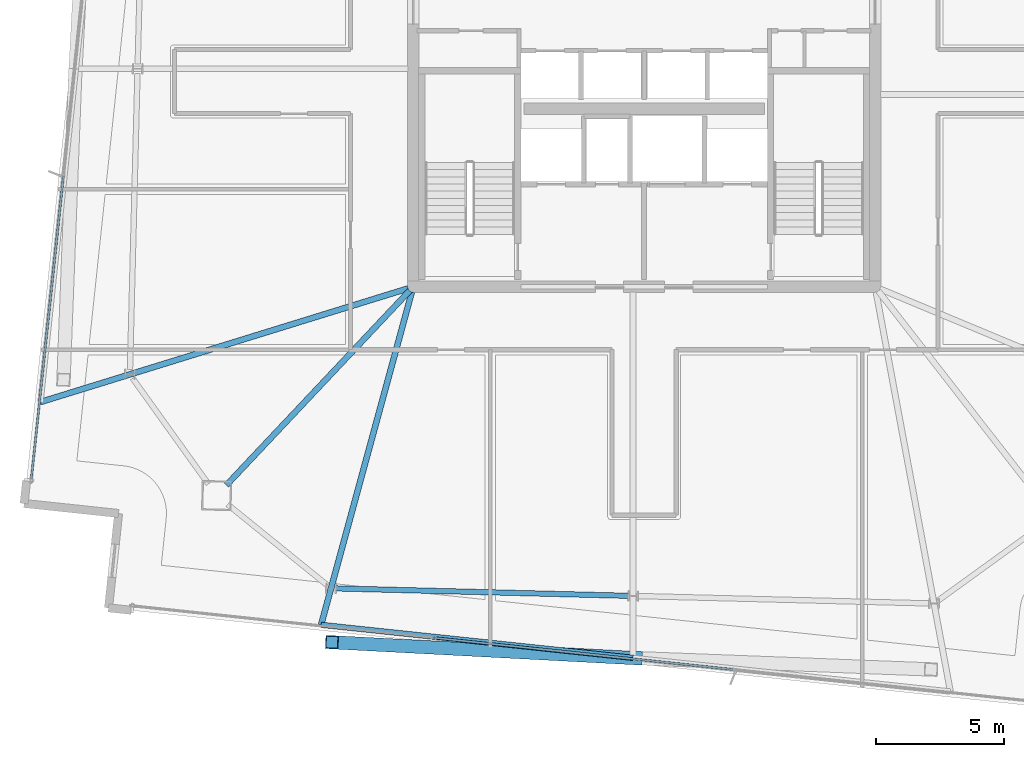
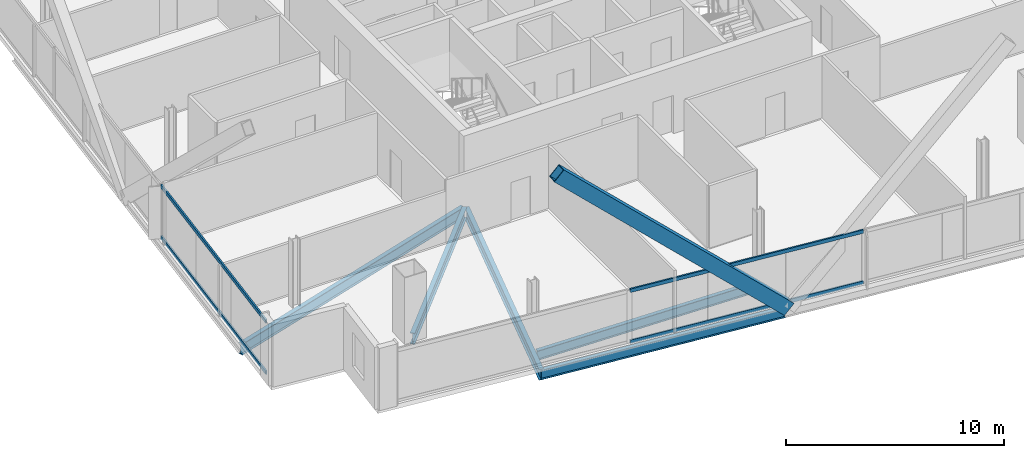
# One storey, part 3 of 24: 5 beams, 5 members, 2 elements without a shape of their own.
"""IFC4 building model written with IfcOpenShell, lengths in metres."""

import ifcopenshell
import ifcopenshell.guid

model = None  # the IFC model being written
_history = None  # IfcOwnerHistory: only IFC2X3 demands one
_inside = {}  # id of a spatial element -> (the spatial element, [elements in it])
_under = {}  # id of a project, library or spatial element -> (it, [spatial elements below it])
_declared = {}  # id of a project -> (the project, [libraries it declares])
_typed = {}  # id of a type object -> (the type object, [elements of that type])
_made_of = {}  # id of a material, layer set ... -> (it, [elements and type objects made of it])


def new_model(schema):
    """Start an empty IFC model of exactly this schema.

    Asked for "IFC4X3", IfcOpenShell would pick the latest addendum, in which some entities
    have other attributes; the version numbers below select the first issue.
    IFC2X3 requires an IfcOwnerHistory on every rooted entity: one is made here for all.
    """
    global model, _history
    if schema == "IFC4X3":
        model = ifcopenshell.file(schema_version=(4, 3, 0, 0))
    else:
        model = ifcopenshell.file(schema=schema)
    _inside.clear()
    _under.clear()
    _declared.clear()
    _typed.clear()
    _made_of.clear()
    _history = None
    if model.schema == "IFC2X3":
        org = make("IfcOrganization", Name="unknown")
        user = make(
            "IfcPersonAndOrganization",
            ThePerson=make("IfcPerson", FamilyName="unknown"),
            TheOrganization=org,
        )
        app = make(
            "IfcApplication",
            ApplicationDeveloper=org,
            Version="unknown",
            ApplicationFullName="unknown",
            ApplicationIdentifier="unknown",
        )
        _history = make(
            "IfcOwnerHistory",
            OwningUser=user,
            OwningApplication=app,
            ChangeAction="ADDED",
            CreationDate=0,
        )
    return model


def make(cls, **values):
    """One entity of the class cls with the attributes given. An attribute that is None is left unset."""
    return model.create_entity(
        cls, **{name: value for name, value in values.items() if value is not None}
    )


def rooted(cls, **values):
    """An entity with a GlobalId (a new one), such as an element, a storey or a relation."""
    return make(cls, GlobalId=ifcopenshell.guid.new(), OwnerHistory=_history, **values)


def si_unit(unit_type, name, prefix=None):
    """IfcSIUnit, for example si_unit("LENGTHUNIT", "METRE", prefix="MILLI")."""
    return make("IfcSIUnit", UnitType=unit_type, Prefix=prefix, Name=name)


def assignment(units):
    """IfcUnitAssignment: the units of a project."""
    return None if units is None else make("IfcUnitAssignment", Units=units)


def point(xyz):
    """IfcCartesianPoint."""
    return None if xyz is None else make("IfcCartesianPoint", Coordinates=xyz)


def direction(xyz):
    """IfcDirection."""
    return None if xyz is None else make("IfcDirection", DirectionRatios=xyz)


def frame(location, z_axis=None, x_axis=None):
    """IfcAxis2Placement3D, a coordinate frame: its origin and axes. An axis left out is left unset."""
    return make(
        "IfcAxis2Placement3D",
        Location=point(location),
        Axis=direction(z_axis),
        RefDirection=direction(x_axis),
    )


def frame_2d(location, x_axis=None):
    """IfcAxis2Placement2D, a coordinate frame in the plane: its origin and x axis."""
    return make(
        "IfcAxis2Placement2D", Location=point(location), RefDirection=direction(x_axis)
    )


def origin():
    """The frame at (0, 0, 0) with its axes left unset."""
    return frame((0.0, 0.0, 0.0))


def origin_2d():
    """The frame at (0, 0) in the plane with its x axis left unset."""
    return frame_2d((0.0, 0.0))


def place(relative_to, where):
    """IfcLocalPlacement: puts the frame where relative to a parent placement (None: the world)."""
    return make(
        "IfcLocalPlacement", PlacementRelTo=relative_to, RelativePlacement=where
    )


def context(
    kind, dimensions, precision=None, world=None, true_north=None, identifier=None
):
    """IfcGeometricRepresentationContext, for example the 3D "Model" context."""
    return make(
        "IfcGeometricRepresentationContext",
        ContextIdentifier=identifier,
        ContextType=kind,
        CoordinateSpaceDimension=dimensions,
        Precision=precision,
        WorldCoordinateSystem=world,
        TrueNorth=true_north,
    )


def subcontext(parent, identifier, kind, view, scale=None):
    """IfcGeometricRepresentationSubContext, for example "Body" below "Model"."""
    return make(
        "IfcGeometricRepresentationSubContext",
        ContextIdentifier=identifier,
        ContextType=kind,
        ParentContext=parent,
        TargetScale=scale,
        TargetView=view,
    )


def project(units=None, contexts=None):
    """IfcProject with its units and contexts."""
    return rooted(
        "IfcProject",
        Name="project",
        RepresentationContexts=contexts,
        UnitsInContext=assignment(units),
    )


def spatial(cls, under=None, at=None, **own):
    """A site, building, storey or space (cls), placed at a placement, below another one or the project."""
    s = rooted(cls, ObjectPlacement=at, **own)
    if under is not None:
        _under.setdefault(under.id(), (under, []))[1].append(s)
    return s


def profile(cls, at=None, kind="AREA", **sizes):
    """A parametric profile (cls). Its sizes go by their IFC names, for example OverallWidth=200.0."""
    return make(cls, ProfileType=kind, Position=at, **sizes)


def hollow_rectangle(**sizes):
    """IfcRectangleHollowProfileDef."""
    return profile("IfcRectangleHollowProfileDef", **sizes)


def i_section(**sizes):
    """IfcIShapeProfileDef."""
    return profile("IfcIShapeProfileDef", **sizes)


def extrude(swept, where, along, depth):
    """IfcExtrudedAreaSolid: the profile swept, set in the frame where, extruded along a direction by depth."""
    return make(
        "IfcExtrudedAreaSolid",
        SweptArea=swept,
        Position=where,
        ExtrudedDirection=direction(along),
        Depth=depth,
    )


def shape(context_of_items, identifier, shape_type, items):
    """IfcShapeRepresentation: the items that make up one representation, for example the "Body"."""
    return make(
        "IfcShapeRepresentation",
        ContextOfItems=context_of_items,
        RepresentationIdentifier=identifier,
        RepresentationType=shape_type,
        Items=items,
    )


def material(Name=None, Category=None):
    """IfcMaterial."""
    return make("IfcMaterial", Name=Name, Category=Category)


def material_profile(
    of_material, cross_section, Name=None, Category=None, Priority=None
):
    """IfcMaterialProfile: a cross section and its material."""
    return make(
        "IfcMaterialProfile",
        Name=Name,
        Material=of_material,
        Profile=cross_section,
        Priority=Priority,
        Category=Category,
    )


def profile_set(profiles, Name=None, composite=None):
    """IfcMaterialProfileSet."""
    return make(
        "IfcMaterialProfileSet",
        Name=Name,
        MaterialProfiles=profiles,
        CompositeProfile=composite,
    )


def made_of(thing, what):
    """Note that an element or type object is made of a material, layer set ...; save() writes the relation."""
    if what is not None:
        _made_of.setdefault(what.id(), (what, []))[1].append(thing)
    return thing


def type_object(cls, material=None, **own):
    """A type object (cls), such as IfcWallType, which elements share."""
    return made_of(rooted(cls, **own), material)


def element(
    cls,
    number,
    at=None,
    inside=None,
    cuts=None,
    type_object=None,
    material=None,
    context=None,
    identifier="Body",
    shape_type=None,
    held_by="IfcProductDefinitionShape",
    body=None,
    shapes=None,
    **own,
):
    """One element of the class cls, such as IfcWall. Its Tag is "e" and its number.

    at: its placement. inside: the storey or other place that contains it. cuts: it is an
    opening in that element (IfcRelVoidsElement). A single representation is given by context,
    identifier, shape_type and body (its items); several are given by shapes. held_by: the class
    of the entity that holds the representations. save() writes the other relations.
    """
    e = rooted(cls, Tag="e%d" % number, ObjectPlacement=at, **own)
    if body is not None:
        shapes = [shape(context, identifier, shape_type, body)]
    if shapes is not None:
        e.Representation = make(held_by, Representations=shapes)
    if inside is not None:
        _inside.setdefault(inside.id(), (inside, []))[1].append(e)
    if cuts is not None:
        rooted(
            "IfcRelVoidsElement", RelatingBuildingElement=cuts, RelatedOpeningElement=e
        )
    if type_object is not None:
        _typed.setdefault(type_object.id(), (type_object, []))[1].append(e)
    return made_of(e, material)


def aggregate(whole, parts):
    """IfcRelAggregates: a whole, such as a stair, and the parts it consists of."""
    return rooted("IfcRelAggregates", RelatingObject=whole, RelatedObjects=parts)


def save(model, path):
    """Write the relations noted so far, then the file.

    IfcRelAggregates (storeys below a building ...), IfcRelContainedInSpatialStructure (elements
    in a storey), IfcRelDefinesByType, IfcRelAssociatesMaterial and IfcRelDeclares: one each for
    every whole, place, type object, material and project.
    """
    for whole, parts in _under.values():
        aggregate(whole, parts)
    for where, things in _inside.values():
        rooted(
            "IfcRelContainedInSpatialStructure",
            RelatedElements=things,
            RelatingStructure=where,
        )
    for kind, things in _typed.values():
        rooted("IfcRelDefinesByType", RelatedObjects=things, RelatingType=kind)
    for what, things in _made_of.values():
        rooted("IfcRelAssociatesMaterial", RelatedObjects=things, RelatingMaterial=what)
    for by, libraries in _declared.values():
        rooted("IfcRelDeclares", RelatingContext=by, RelatedDefinitions=libraries)
    model.write(path)


model = new_model("IFC4")

# Units and contexts
model_context = context("Model", 3, precision=1e-05, world=origin(), true_north=direction((0.0, 1.0)))
body_context = subcontext(model_context, "Body", "Model", "MODEL_VIEW")
ifc_project = project(units=[si_unit("LENGTHUNIT", "METRE"), si_unit("AREAUNIT", "SQUARE_METRE"), si_unit("VOLUMEUNIT", "CUBIC_METRE"), si_unit("PLANEANGLEUNIT", "RADIAN"), si_unit("MASSUNIT", "GRAM", prefix="KILO")], contexts=[model_context])

# Site, building, storey
site_placement = place(None, origin())
site = spatial("IfcSite", under=ifc_project, at=site_placement, CompositionType="ELEMENT")
building_placement = place(site_placement, origin())
building = spatial("IfcBuilding", under=site, at=building_placement, Name="Haldenkirk Collegiate Tower", CompositionType="ELEMENT")
storey_placement = place(building_placement, frame((0.0, 0.0, 310.199951171875)))
storey = spatial("IfcBuildingStorey", under=building, at=storey_placement, Name="L78", CompositionType="ELEMENT", Elevation=310.199951171875)

# Beams
ifc_material_1 = material(Name="Steel ASTM A992 Grade 50", Category="steel")
ifc_material_profile_1 = material_profile(ifc_material_1, i_section(OverallWidth=0.22998046875, OverallDepth=0.616943359375, WebThickness=0.01318359375, FlangeThickness=0.022216796875, at=origin_2d()), Name="W24X94")
ifc_profile_set_1 = profile_set([ifc_material_profile_1], Name="Steel ASTM A992 Grade 50")
beam_type_1 = type_object("IfcBeamType", Name="BM-GIRDER-W24X94", PredefinedType="BEAM", material=ifc_profile_set_1)
beam_1_placement = place(storey_placement, frame((19.717041015625, 10.2705078125, -0.568359375), z_axis=(0.685767478835, 0.72782069562, 0.0), x_axis=(-0.72782069562, 0.685767478835, 0.0)))
element("IfcBeam", 1, at=beam_1_placement, inside=storey, type_object=beam_type_1, Name="L78 primary floor girder 04", PredefinedType="BEAM", context=body_context, shape_type="SweptSolid", body=[
    extrude(i_section(OverallWidth=0.22998046875, OverallDepth=0.616943359375, WebThickness=0.01318359375, FlangeThickness=0.022216796875, at=origin_2d()), origin(), (0.0, 0.0, 1.0), 10.4150390625),
])
beam_2_placement = place(storey_placement, frame((12.47265625, 13.51171875, -0.568359375), z_axis=(0.955440538683, 0.295183632748, 0.0), x_axis=(-0.295183632748, 0.955440538683, 0.0)))
element("IfcBeam", 2, at=beam_2_placement, inside=storey, type_object=beam_type_1, Name="L78 primary floor girder 13", PredefinedType="BEAM", context=body_context, shape_type="SweptSolid", body=[
    extrude(i_section(OverallWidth=0.22998046875, OverallDepth=0.616943359375, WebThickness=0.01318359375, FlangeThickness=0.022216796875, at=origin_2d()), origin(), (0.0, 0.0, 1.0), 15.0),
])
beam_3_placement = place(storey_placement, frame((23.408203125, 4.8291015625, -0.568359375), z_axis=(0.263097434224, 0.964769267807, 0.0), x_axis=(-0.964769267807, 0.263097434224, 0.0)))
element("IfcBeam", 3, at=beam_3_placement, inside=storey, type_object=beam_type_1, Name="L78 primary floor girder 14", PredefinedType="BEAM", context=body_context, shape_type="SweptSolid", body=[
    extrude(i_section(OverallWidth=0.22998046875, OverallDepth=0.616943359375, WebThickness=0.01318359375, FlangeThickness=0.022216796875, at=origin_2d()), origin(), (0.0, 0.0, 1.0), 13.44677734375),
])
ifc_material_profile_2 = material_profile(ifc_material_1, i_section(OverallWidth=0.2099609375, OverallDepth=0.537109375, WebThickness=0.010986328125, FlangeThickness=0.017333984375, at=origin_2d()), Name="W21X68")
ifc_profile_set_2 = profile_set([ifc_material_profile_2], Name="Steel ASTM A992 Grade 50")
beam_type_2 = type_object("IfcBeamType", Name="BM-SPANDREL-W21X68", PredefinedType="SPANDREL", material=ifc_profile_set_2)
beam_4_placement = place(storey_placement, frame((23.984375, 6.247802734375, -0.528564453125), z_axis=(0.99967950041, -0.02531593293, 0.0), x_axis=(0.02531593293, 0.99967950041, 0.0)))
element("IfcBeam", 4, at=beam_4_placement, inside=storey, type_object=beam_type_2, Name="L78 perimeter spandrel beam 14", PredefinedType="SPANDREL", context=body_context, shape_type="SweptSolid", body=[
    extrude(i_section(OverallWidth=0.2099609375, OverallDepth=0.537109375, WebThickness=0.010986328125, FlangeThickness=0.017333984375, at=origin_2d()), origin(), (0.0, 0.0, 1.0), 11.39892578125),
])
beam_5_placement = place(storey_placement, frame((23.408203125, 4.8291015625, -0.528564453125), z_axis=(0.994431687168, -0.105383203391, 0.0), x_axis=(0.105383203391, 0.994431687168, 0.0)))
element("IfcBeam", 5, at=beam_5_placement, inside=storey, type_object=beam_type_2, Name="L78 outer facade edge beam 4A", PredefinedType="SPANDREL", context=body_context, shape_type="SweptSolid", body=[
    extrude(i_section(OverallWidth=0.2099609375, OverallDepth=0.537109375, WebThickness=0.010986328125, FlangeThickness=0.017333984375, at=origin_2d()), origin(), (0.0, 0.0, 1.0), 12.2275390625),
])

# Curtain wall, members
ifc_material_2 = material(Name="Anodised architectural bronze aluminium", Category="aluminium")
curtain_wall_type = type_object("IfcCurtainWallType", Name="CW-SYS1B-CONVEX-HI", PredefinedType="USERDEFINED", material=ifc_material_2)
curtain_wall_1_placement = place(storey_placement, origin())
curtain_wall_1 = element("IfcCurtainWall", 6, at=curtain_wall_1_placement, inside=storey, type_object=curtain_wall_type, Name="L78 Upper tower high-wind convex bronze unitised curtain wall", ObjectType="UNITISED CURTAIN WALL", PredefinedType="USERDEFINED")
ifc_material_profile_3 = material_profile(ifc_material_2, hollow_rectangle(XDim=0.0849609375, YDim=0.199951171875, WallThickness=0.0048828125, at=origin_2d()), Name="CW-TRN-1B")
ifc_profile_set_3 = profile_set([ifc_material_profile_3], Name="Anodised architectural bronze aluminium")
member_type_1 = type_object("IfcMemberType", Name="CW-TRN-1B", PredefinedType="USERDEFINED", material=ifc_profile_set_3)
member_1_placement = place(storey_placement, frame((12.114990234375, 10.51611328125, 0.04248046875), z_axis=(0.105408365725, 0.99442902031, 0.0), x_axis=(-0.99442902031, 0.105408365725, 0.0)))
member_1 = element("IfcMember", 7, at=member_1_placement, type_object=member_type_1, Name="CW-1B transom 1.1", ObjectType="TRANSOM", PredefinedType="USERDEFINED", context=body_context, shape_type="SweptSolid", body=[
    extrude(hollow_rectangle(XDim=0.0849609375, YDim=0.199951171875, WallThickness=0.0048828125, at=origin_2d()), origin(), (0.0, 0.0, 1.0), 11.87255859375),
])
member_2_placement = place(storey_placement, frame((12.114990234375, 10.51611328125, 2.905517578125), z_axis=(0.105408365725, 0.99442902031, 0.0), x_axis=(-0.99442902031, 0.105408365725, 0.0)))
member_2 = element("IfcMember", 8, at=member_2_placement, type_object=member_type_1, Name="CW-1B transom 1.2", ObjectType="TRANSOM", PredefinedType="USERDEFINED", context=body_context, shape_type="SweptSolid", body=[
    extrude(hollow_rectangle(XDim=0.0849609375, YDim=0.199951171875, WallThickness=0.0048828125, at=origin_2d()), origin(), (0.0, 0.0, 1.0), 11.87255859375),
])
aggregate(curtain_wall_1, [member_1, member_2])

curtain_wall_2_placement = place(storey_placement, origin())
curtain_wall_2 = element("IfcCurtainWall", 9, at=curtain_wall_2_placement, inside=storey, type_object=curtain_wall_type, Name="L78 Upper tower high-wind convex bronze unitised curtain wall", ObjectType="UNITISED CURTAIN WALL", PredefinedType="USERDEFINED")
member_3_placement = place(storey_placement, frame((39.4619140625, 3.08740234375, 0.04248046875), z_axis=(-0.994429139833, 0.105407238134, 0.0), x_axis=(-0.105407238134, -0.994429139833, 0.0)))
member_3 = element("IfcMember", 10, at=member_3_placement, type_object=member_type_1, Name="CW-1B transom 2.1", ObjectType="TRANSOM", PredefinedType="USERDEFINED", context=body_context, shape_type="SweptSolid", body=[
    extrude(hollow_rectangle(XDim=0.0849609375, YDim=0.199951171875, WallThickness=0.0048828125, at=origin_2d()), origin(), (0.0, 0.0, 1.0), 11.715087890625),
])
member_4_placement = place(storey_placement, frame((39.4619140625, 3.08740234375, 2.905517578125), z_axis=(-0.994429139833, 0.105407238134, 0.0), x_axis=(-0.105407238134, -0.994429139833, 0.0)))
member_4 = element("IfcMember", 11, at=member_4_placement, type_object=member_type_1, Name="CW-1B transom 2.2", ObjectType="TRANSOM", PredefinedType="USERDEFINED", context=body_context, shape_type="SweptSolid", body=[
    extrude(hollow_rectangle(XDim=0.0849609375, YDim=0.199951171875, WallThickness=0.0048828125, at=origin_2d()), origin(), (0.0, 0.0, 1.0), 11.715087890625),
])
aggregate(curtain_wall_2, [member_3, member_4])

# Member
ifc_material_3 = material(Name="Steel ASTM A572 Grade 50", Category="steel")
ifc_material_profile_4 = material_profile(ifc_material_3, hollow_rectangle(XDim=0.52001953125, YDim=0.719970703125, WallThickness=0.035888671875, at=origin_2d()), Name="BOX720X520X36")
ifc_profile_set_4 = profile_set([ifc_material_profile_4], Name="Steel ASTM A572 Grade 50")
member_type_2 = type_object("IfcMemberType", Name="MBR-MEGABRACE-BOX720X520X36", PredefinedType="BRACE", material=ifc_profile_set_4)
member_5_placement = place(storey_placement, frame((35.671630859375, 3.529296875, -0.27001953125), z_axis=(-0.724475235933, 0.037952614669, 0.68825520816), x_axis=(-0.052314616822, -0.998630652878, 0.0)))
element("IfcMember", 12, at=member_5_placement, inside=storey, type_object=member_type_2, Name="Perimeter Mega Brace Z6 L78-L80 WL", PredefinedType="BRACE", context=body_context, shape_type="SweptSolid", body=[
    extrude(hollow_rectangle(XDim=0.52001953125, YDim=0.719970703125, WallThickness=0.035888671875, at=origin_2d()), origin(), (0.0, 0.0, 1.0), 16.345703125),
])

save(model, "model.ifc")
